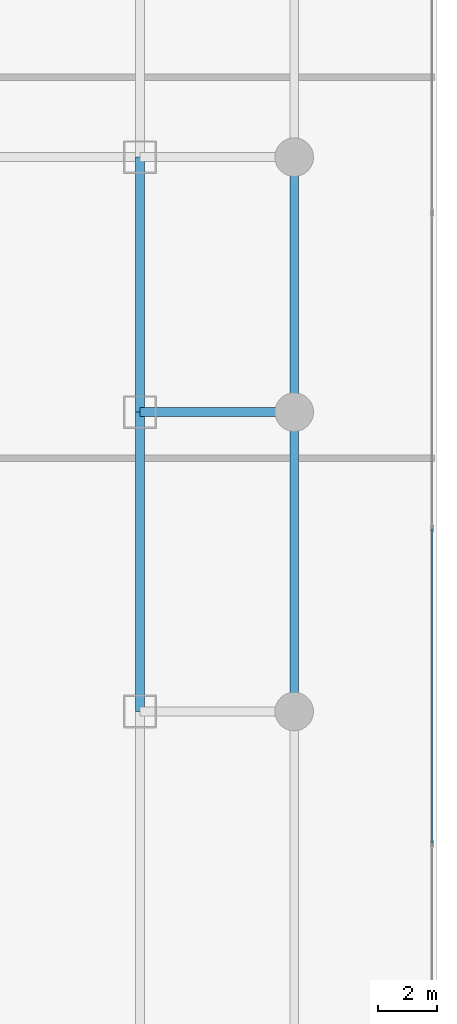
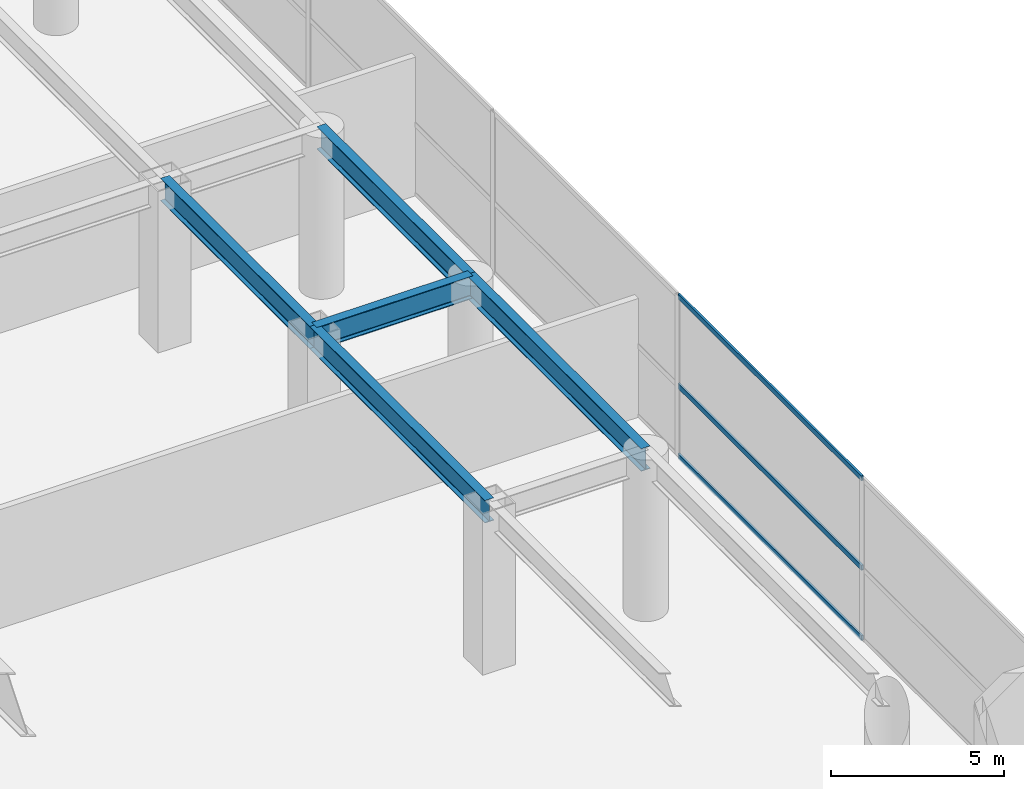
# One storey, part 23 of 35: 5 beams, 3 members, 1 element without a shape of its own.
"""IFC4 building model written with IfcOpenShell, lengths in metres."""

from ifc_helpers import new_model, si_unit, direction, frame, origin, origin_2d, place, context, subcontext, project, spatial, hollow_rectangle, i_section, extrude, material, layer, layer_set, material_profile, profile_set, type_object, element, aggregate, save


model = new_model("IFC4")

# Units and contexts
model_context = context("Model", 3, precision=1e-05, world=origin(), true_north=direction((0.0, 1.0)))
body_context = subcontext(model_context, "Body", "Model", "MODEL_VIEW")
ifc_project = project(units=[si_unit("LENGTHUNIT", "METRE"), si_unit("AREAUNIT", "SQUARE_METRE"), si_unit("VOLUMEUNIT", "CUBIC_METRE"), si_unit("PLANEANGLEUNIT", "RADIAN"), si_unit("MASSUNIT", "GRAM", prefix="KILO")], contexts=[model_context])

# Site, building, storey
site_placement = place(None, origin())
site = spatial("IfcSite", under=ifc_project, at=site_placement, CompositionType="ELEMENT")
building_placement = place(site_placement, origin())
building = spatial("IfcBuilding", under=site, at=building_placement, Name="Calvorn Quay Hotel", CompositionType="ELEMENT")
storey_placement = place(building_placement, frame((0.0, 0.0, 6.0)))
storey = spatial("IfcBuildingStorey", under=building, at=storey_placement, Name="L01", CompositionType="ELEMENT", Elevation=6.0)

# Beams
ifc_material_1 = material(Name="Steel Q390GJC", Category="steel")
ifc_material_profile_1 = material_profile(ifc_material_1, i_section(OverallWidth=0.300048828125, OverallDepth=0.800048828125, WebThickness=0.013916015625, FlangeThickness=0.02587890625, FilletRadius=0.02392578125, at=origin_2d()), Name="HN800x300x14x26")
ifc_profile_set_1 = profile_set([ifc_material_profile_1], Name="Steel Q390GJC")
beam_type = type_object("IfcBeamType", Name="BM-GIRD-POD", PredefinedType="BEAM", material=ifc_profile_set_1)
beam_1_placement = place(storey_placement, frame((74.0, 17.5, 5.280029296875), z_axis=(0.0, 1.0, 0.0), x_axis=(-1.0, 0.0, 0.0)))
element("IfcBeam", 1, at=beam_1_placement, inside=storey, type_object=beam_type, Name="Beam BG-L01-PE2", PredefinedType="BEAM", context=body_context, shape_type="SweptSolid", body=[
    extrude(i_section(OverallWidth=0.300048828125, OverallDepth=0.800048828125, WebThickness=0.013916015625, FlangeThickness=0.02587890625, FilletRadius=0.02392578125, at=origin_2d()), origin(), (0.0, 0.0, 1.0), 10.10009765625),
])
beam_2_placement = place(storey_placement, frame((74.0, 27.60009765625, 5.280029296875), z_axis=(0.0, 1.0, 0.0), x_axis=(-1.0, 0.0, 0.0)))
element("IfcBeam", 2, at=beam_2_placement, inside=storey, type_object=beam_type, Name="Beam BG-L01-PE3", PredefinedType="BEAM", context=body_context, shape_type="SweptSolid", body=[
    extrude(i_section(OverallWidth=0.300048828125, OverallDepth=0.800048828125, WebThickness=0.013916015625, FlangeThickness=0.02587890625, FilletRadius=0.02392578125, at=origin_2d()), origin(), (0.0, 0.0, 1.0), 8.599853515625),
])
beam_3_placement = place(storey_placement, frame((79.199951171875, 17.5, 5.280029296875), z_axis=(0.0, 1.0, 0.0), x_axis=(-1.0, 0.0, 0.0)))
element("IfcBeam", 3, at=beam_3_placement, inside=storey, type_object=beam_type, Name="Beam BSP-L01-Q2", PredefinedType="BEAM", context=body_context, shape_type="SweptSolid", body=[
    extrude(i_section(OverallWidth=0.300048828125, OverallDepth=0.800048828125, WebThickness=0.013916015625, FlangeThickness=0.02587890625, FilletRadius=0.02392578125, at=origin_2d()), origin(), (0.0, 0.0, 1.0), 10.10009765625),
])
beam_4_placement = place(storey_placement, frame((79.199951171875, 27.60009765625, 5.280029296875), z_axis=(0.0, 1.0, 0.0), x_axis=(-1.0, 0.0, 0.0)))
element("IfcBeam", 4, at=beam_4_placement, inside=storey, type_object=beam_type, Name="Beam BSP-L01-Q3", PredefinedType="BEAM", context=body_context, shape_type="SweptSolid", body=[
    extrude(i_section(OverallWidth=0.300048828125, OverallDepth=0.800048828125, WebThickness=0.013916015625, FlangeThickness=0.02587890625, FilletRadius=0.02392578125, at=origin_2d()), origin(), (0.0, 0.0, 1.0), 8.599853515625),
])
beam_5_placement = place(storey_placement, frame((74.0, 27.60009765625, 5.280029296875), z_axis=(1.0, 0.0, 0.0), x_axis=(0.0, 1.0, 0.0)))
element("IfcBeam", 5, at=beam_5_placement, inside=storey, type_object=beam_type, Name="Beam BG-L01-EQ3", PredefinedType="BEAM", context=body_context, shape_type="SweptSolid", body=[
    extrude(i_section(OverallWidth=0.300048828125, OverallDepth=0.800048828125, WebThickness=0.013916015625, FlangeThickness=0.02587890625, FilletRadius=0.02392578125, at=origin_2d()), origin(), (0.0, 0.0, 1.0), 5.199951171875),
])

# Curtain wall, members
ifc_material_2 = material(Name="Pale Anodised Aluminium and Low-E Glass", Category="aluminium")
ifc_layer = layer(ifc_material_2, 0.219970703125)
ifc_layer_set = layer_set([ifc_layer], Name="CW-SYS-POD")
curtain_wall_type = type_object("IfcCurtainWallType", Name="CW-SYS-POD", PredefinedType="NOTDEFINED", material=ifc_layer_set)
curtain_wall_placement = place(storey_placement, origin())
curtain_wall = element("IfcCurtainWall", 6, at=curtain_wall_placement, inside=storey, type_object=curtain_wall_type, Name="Podium Curtain Wall L01-E1", PredefinedType="NOTDEFINED")
ifc_material_3 = material(Name="Pale Anodised Aluminium 6063-T6", Category="aluminium")
ifc_material_profile_2 = material_profile(ifc_material_3, hollow_rectangle(XDim=0.070068359375, YDim=0.179931640625, WallThickness=0.00390625, at=origin_2d()), Name="ALU-T180x70x4")
ifc_profile_set_2 = profile_set([ifc_material_profile_2], Name="Pale Anodised Aluminium 6063-T6")
member_type = type_object("IfcMemberType", Name="CW-SYS-POD-TRN", PredefinedType="USERDEFINED", material=ifc_profile_set_2)
member_1_placement = place(storey_placement, frame((83.85009765625, 13.070068359375, 0.030029296875), z_axis=(0.0, 1.0, 0.0), x_axis=(-1.0, 0.0, 0.0)))
member_1 = element("IfcMember", 7, at=member_1_placement, type_object=member_type, Name="CW-L01-E1 transom 2.1", ObjectType="TRANSOM", PredefinedType="USERDEFINED", context=body_context, shape_type="SweptSolid", body=[
    extrude(hollow_rectangle(XDim=0.070068359375, YDim=0.179931640625, WallThickness=0.00390625, at=origin_2d()), origin(), (0.0, 0.0, 1.0), 10.579833984375),
])
member_2_placement = place(storey_placement, frame((83.85009765625, 13.070068359375, 2.5), z_axis=(0.0, 1.0, 0.0), x_axis=(-1.0, 0.0, 0.0)))
member_2 = element("IfcMember", 8, at=member_2_placement, type_object=member_type, Name="CW-L01-E1 transom 2.2", ObjectType="TRANSOM", PredefinedType="USERDEFINED", context=body_context, shape_type="SweptSolid", body=[
    extrude(hollow_rectangle(XDim=0.070068359375, YDim=0.179931640625, WallThickness=0.00390625, at=origin_2d()), origin(), (0.0, 0.0, 1.0), 10.579833984375),
])
member_3_placement = place(storey_placement, frame((83.85009765625, 13.070068359375, 5.64990234375), z_axis=(0.0, 1.0, 0.0), x_axis=(-1.0, 0.0, 0.0)))
member_3 = element("IfcMember", 9, at=member_3_placement, type_object=member_type, Name="CW-L01-E1 transom 2.3", ObjectType="TRANSOM", PredefinedType="USERDEFINED", context=body_context, shape_type="SweptSolid", body=[
    extrude(hollow_rectangle(XDim=0.070068359375, YDim=0.179931640625, WallThickness=0.00390625, at=origin_2d()), origin(), (0.0, 0.0, 1.0), 10.579833984375),
])
aggregate(curtain_wall, [member_1, member_2, member_3])

save(model, "model.ifc")
